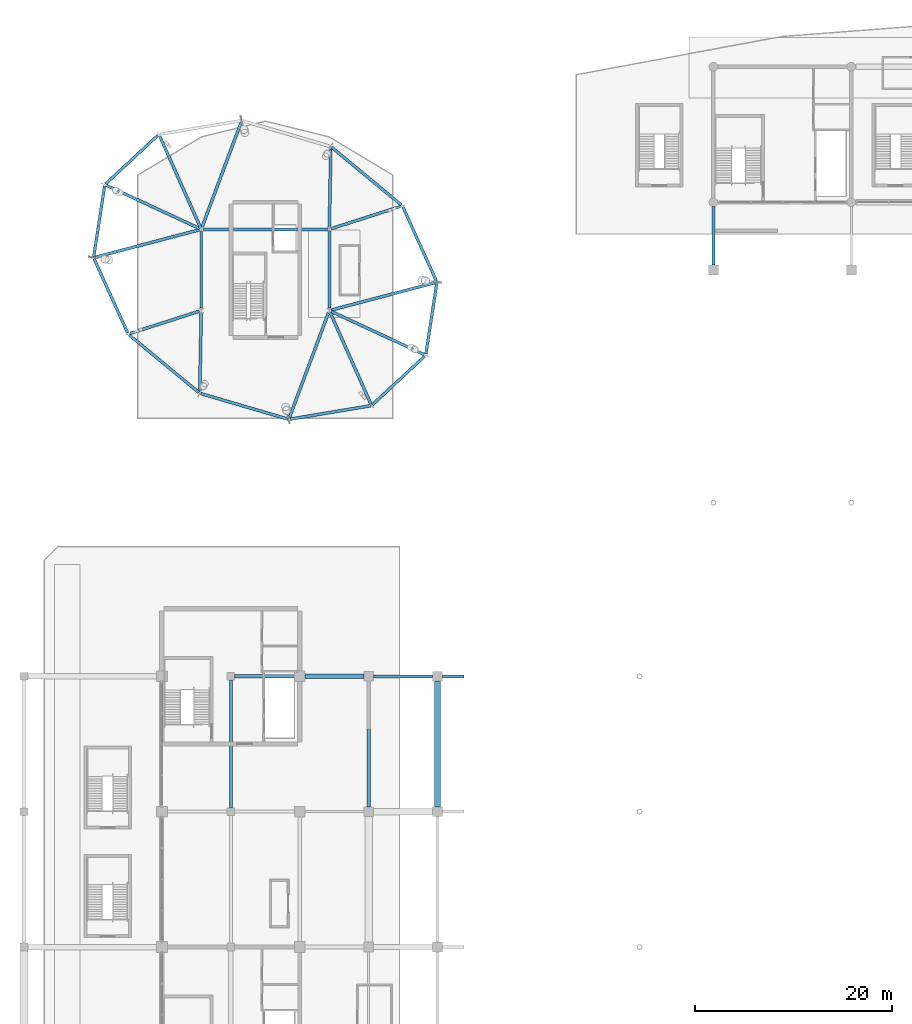
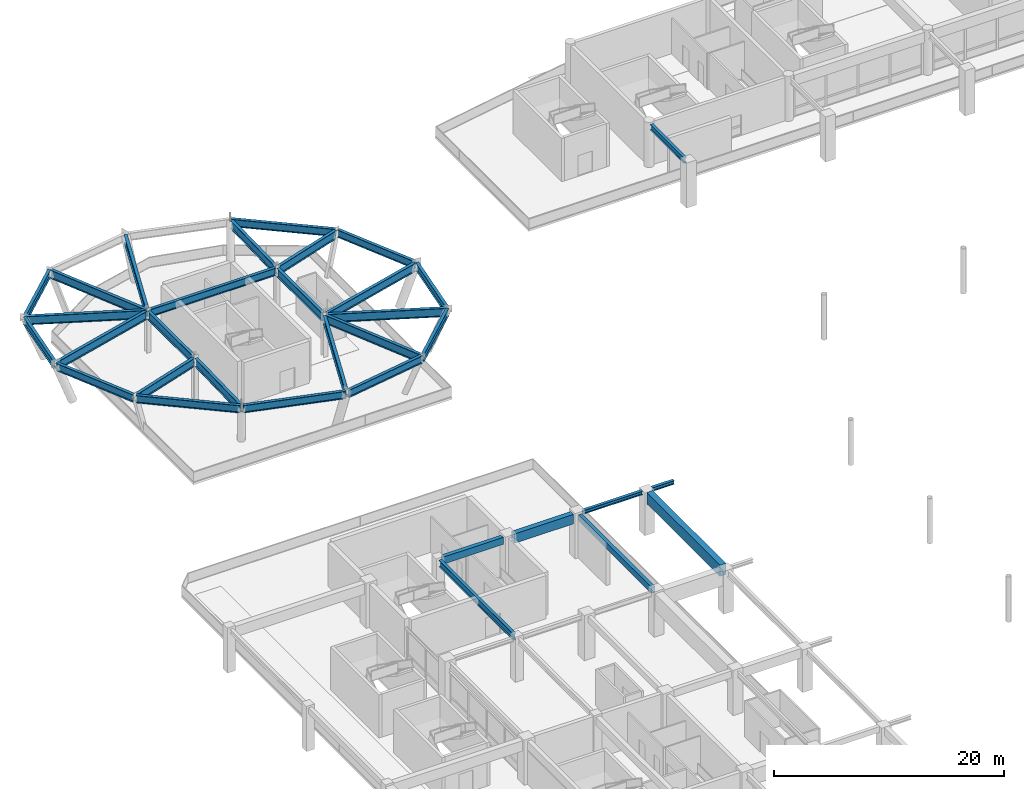
# One storey, part 42 of 91: 33 beams.
"""IFC4 building model written with IfcOpenShell, lengths in metres."""

import ifcopenshell
import ifcopenshell.guid

model = None  # the IFC model being written
_history = None  # IfcOwnerHistory: only IFC2X3 demands one
_inside = {}  # id of a spatial element -> (the spatial element, [elements in it])
_under = {}  # id of a project, library or spatial element -> (it, [spatial elements below it])
_declared = {}  # id of a project -> (the project, [libraries it declares])
_typed = {}  # id of a type object -> (the type object, [elements of that type])
_made_of = {}  # id of a material, layer set ... -> (it, [elements and type objects made of it])


def new_model(schema):
    """Start an empty IFC model of exactly this schema.

    Asked for "IFC4X3", IfcOpenShell would pick the latest addendum, in which some entities
    have other attributes; the version numbers below select the first issue.
    IFC2X3 requires an IfcOwnerHistory on every rooted entity: one is made here for all.
    """
    global model, _history
    if schema == "IFC4X3":
        model = ifcopenshell.file(schema_version=(4, 3, 0, 0))
    else:
        model = ifcopenshell.file(schema=schema)
    _inside.clear()
    _under.clear()
    _declared.clear()
    _typed.clear()
    _made_of.clear()
    _history = None
    if model.schema == "IFC2X3":
        org = make("IfcOrganization", Name="unknown")
        user = make(
            "IfcPersonAndOrganization",
            ThePerson=make("IfcPerson", FamilyName="unknown"),
            TheOrganization=org,
        )
        app = make(
            "IfcApplication",
            ApplicationDeveloper=org,
            Version="unknown",
            ApplicationFullName="unknown",
            ApplicationIdentifier="unknown",
        )
        _history = make(
            "IfcOwnerHistory",
            OwningUser=user,
            OwningApplication=app,
            ChangeAction="ADDED",
            CreationDate=0,
        )
    return model


def make(cls, **values):
    """One entity of the class cls with the attributes given. An attribute that is None is left unset."""
    return model.create_entity(
        cls, **{name: value for name, value in values.items() if value is not None}
    )


def rooted(cls, **values):
    """An entity with a GlobalId (a new one), such as an element, a storey or a relation."""
    return make(cls, GlobalId=ifcopenshell.guid.new(), OwnerHistory=_history, **values)


def si_unit(unit_type, name, prefix=None):
    """IfcSIUnit, for example si_unit("LENGTHUNIT", "METRE", prefix="MILLI")."""
    return make("IfcSIUnit", UnitType=unit_type, Prefix=prefix, Name=name)


def assignment(units):
    """IfcUnitAssignment: the units of a project."""
    return None if units is None else make("IfcUnitAssignment", Units=units)


def point(xyz):
    """IfcCartesianPoint."""
    return None if xyz is None else make("IfcCartesianPoint", Coordinates=xyz)


def direction(xyz):
    """IfcDirection."""
    return None if xyz is None else make("IfcDirection", DirectionRatios=xyz)


def frame(location, z_axis=None, x_axis=None):
    """IfcAxis2Placement3D, a coordinate frame: its origin and axes. An axis left out is left unset."""
    return make(
        "IfcAxis2Placement3D",
        Location=point(location),
        Axis=direction(z_axis),
        RefDirection=direction(x_axis),
    )


def frame_2d(location, x_axis=None):
    """IfcAxis2Placement2D, a coordinate frame in the plane: its origin and x axis."""
    return make(
        "IfcAxis2Placement2D", Location=point(location), RefDirection=direction(x_axis)
    )


def origin():
    """The frame at (0, 0, 0) with its axes left unset."""
    return frame((0.0, 0.0, 0.0))


def origin_2d():
    """The frame at (0, 0) in the plane with its x axis left unset."""
    return frame_2d((0.0, 0.0))


def place(relative_to, where):
    """IfcLocalPlacement: puts the frame where relative to a parent placement (None: the world)."""
    return make(
        "IfcLocalPlacement", PlacementRelTo=relative_to, RelativePlacement=where
    )


def context(
    kind, dimensions, precision=None, world=None, true_north=None, identifier=None
):
    """IfcGeometricRepresentationContext, for example the 3D "Model" context."""
    return make(
        "IfcGeometricRepresentationContext",
        ContextIdentifier=identifier,
        ContextType=kind,
        CoordinateSpaceDimension=dimensions,
        Precision=precision,
        WorldCoordinateSystem=world,
        TrueNorth=true_north,
    )


def subcontext(parent, identifier, kind, view, scale=None):
    """IfcGeometricRepresentationSubContext, for example "Body" below "Model"."""
    return make(
        "IfcGeometricRepresentationSubContext",
        ContextIdentifier=identifier,
        ContextType=kind,
        ParentContext=parent,
        TargetScale=scale,
        TargetView=view,
    )


def project(units=None, contexts=None):
    """IfcProject with its units and contexts."""
    return rooted(
        "IfcProject",
        Name="project",
        RepresentationContexts=contexts,
        UnitsInContext=assignment(units),
    )


def spatial(cls, under=None, at=None, **own):
    """A site, building, storey or space (cls), placed at a placement, below another one or the project."""
    s = rooted(cls, ObjectPlacement=at, **own)
    if under is not None:
        _under.setdefault(under.id(), (under, []))[1].append(s)
    return s


def profile(cls, at=None, kind="AREA", **sizes):
    """A parametric profile (cls). Its sizes go by their IFC names, for example OverallWidth=200.0."""
    return make(cls, ProfileType=kind, Position=at, **sizes)


def rectangle(**sizes):
    """IfcRectangleProfileDef."""
    return profile("IfcRectangleProfileDef", **sizes)


def i_section(**sizes):
    """IfcIShapeProfileDef."""
    return profile("IfcIShapeProfileDef", **sizes)


def extrude(swept, where, along, depth):
    """IfcExtrudedAreaSolid: the profile swept, set in the frame where, extruded along a direction by depth."""
    return make(
        "IfcExtrudedAreaSolid",
        SweptArea=swept,
        Position=where,
        ExtrudedDirection=direction(along),
        Depth=depth,
    )


def shape(context_of_items, identifier, shape_type, items):
    """IfcShapeRepresentation: the items that make up one representation, for example the "Body"."""
    return make(
        "IfcShapeRepresentation",
        ContextOfItems=context_of_items,
        RepresentationIdentifier=identifier,
        RepresentationType=shape_type,
        Items=items,
    )


def material(Name=None, Category=None):
    """IfcMaterial."""
    return make("IfcMaterial", Name=Name, Category=Category)


def material_profile(
    of_material, cross_section, Name=None, Category=None, Priority=None
):
    """IfcMaterialProfile: a cross section and its material."""
    return make(
        "IfcMaterialProfile",
        Name=Name,
        Material=of_material,
        Profile=cross_section,
        Priority=Priority,
        Category=Category,
    )


def profile_set(profiles, Name=None, composite=None):
    """IfcMaterialProfileSet."""
    return make(
        "IfcMaterialProfileSet",
        Name=Name,
        MaterialProfiles=profiles,
        CompositeProfile=composite,
    )


def made_of(thing, what):
    """Note that an element or type object is made of a material, layer set ...; save() writes the relation."""
    if what is not None:
        _made_of.setdefault(what.id(), (what, []))[1].append(thing)
    return thing


def type_object(cls, material=None, **own):
    """A type object (cls), such as IfcWallType, which elements share."""
    return made_of(rooted(cls, **own), material)


def element(
    cls,
    number,
    at=None,
    inside=None,
    cuts=None,
    type_object=None,
    material=None,
    context=None,
    identifier="Body",
    shape_type=None,
    held_by="IfcProductDefinitionShape",
    body=None,
    shapes=None,
    **own,
):
    """One element of the class cls, such as IfcWall. Its Tag is "e" and its number.

    at: its placement. inside: the storey or other place that contains it. cuts: it is an
    opening in that element (IfcRelVoidsElement). A single representation is given by context,
    identifier, shape_type and body (its items); several are given by shapes. held_by: the class
    of the entity that holds the representations. save() writes the other relations.
    """
    e = rooted(cls, Tag="e%d" % number, ObjectPlacement=at, **own)
    if body is not None:
        shapes = [shape(context, identifier, shape_type, body)]
    if shapes is not None:
        e.Representation = make(held_by, Representations=shapes)
    if inside is not None:
        _inside.setdefault(inside.id(), (inside, []))[1].append(e)
    if cuts is not None:
        rooted(
            "IfcRelVoidsElement", RelatingBuildingElement=cuts, RelatedOpeningElement=e
        )
    if type_object is not None:
        _typed.setdefault(type_object.id(), (type_object, []))[1].append(e)
    return made_of(e, material)


def aggregate(whole, parts):
    """IfcRelAggregates: a whole, such as a stair, and the parts it consists of."""
    return rooted("IfcRelAggregates", RelatingObject=whole, RelatedObjects=parts)


def save(model, path):
    """Write the relations noted so far, then the file.

    IfcRelAggregates (storeys below a building ...), IfcRelContainedInSpatialStructure (elements
    in a storey), IfcRelDefinesByType, IfcRelAssociatesMaterial and IfcRelDeclares: one each for
    every whole, place, type object, material and project.
    """
    for whole, parts in _under.values():
        aggregate(whole, parts)
    for where, things in _inside.values():
        rooted(
            "IfcRelContainedInSpatialStructure",
            RelatedElements=things,
            RelatingStructure=where,
        )
    for kind, things in _typed.values():
        rooted("IfcRelDefinesByType", RelatedObjects=things, RelatingType=kind)
    for what, things in _made_of.values():
        rooted("IfcRelAssociatesMaterial", RelatedObjects=things, RelatingMaterial=what)
    for by, libraries in _declared.values():
        rooted("IfcRelDeclares", RelatingContext=by, RelatedDefinitions=libraries)
    model.write(path)


model = new_model("IFC4")

# Units and contexts
model_context = context("Model", 3, precision=1e-05, world=origin(), true_north=direction((0.0, 1.0)))
body_context = subcontext(model_context, "Body", "Model", "MODEL_VIEW")
ifc_project = project(units=[si_unit("LENGTHUNIT", "METRE"), si_unit("AREAUNIT", "SQUARE_METRE"), si_unit("VOLUMEUNIT", "CUBIC_METRE"), si_unit("PLANEANGLEUNIT", "RADIAN"), si_unit("MASSUNIT", "GRAM", prefix="KILO")], contexts=[model_context])

# Site, building, storey
site_placement = place(None, origin())
site = spatial("IfcSite", under=ifc_project, at=site_placement, CompositionType="ELEMENT")
building_placement = place(site_placement, origin())
building = spatial("IfcBuilding", under=site, at=building_placement, Name="Linyun Crest Stadium", CompositionType="ELEMENT")
storey_placement = place(building_placement, frame((0.0, 0.0, 11.39990234375)))
storey = spatial("IfcBuildingStorey", under=building, at=storey_placement, Name="L03", CompositionType="ELEMENT", Elevation=11.39990234375)

# Beams
ifc_material_1 = material(Name="Concrete C40", Category="concrete")
ifc_material_profile_1 = material_profile(ifc_material_1, rectangle(XDim=0.35009765625, YDim=0.64990234375, at=origin_2d()), Name="RCB 650x350")
ifc_profile_set_1 = profile_set([ifc_material_profile_1], Name="Concrete C40")
beam_type_1 = type_object("IfcBeamType", Name="B02", PredefinedType="BEAM", material=ifc_profile_set_1)
beam_1_placement = place(storey_placement, frame((-63.0, 30.125, 4.255126953125), z_axis=(0.0, 1.0, 0.0), x_axis=(-1.0, 0.0, 0.0)))
element("IfcBeam", 1, at=beam_1_placement, inside=storey, type_object=beam_type_1, Name="Frame beam B02 L03 291", PredefinedType="BEAM", context=body_context, shape_type="SweptSolid", body=[
    extrude(rectangle(XDim=0.35009765625, YDim=0.64990234375, at=origin_2d()), origin(), (0.0, 0.0, 1.0), 12.75),
])
ifc_material_2 = material(Name="Concrete C40", Category="concrete")
ifc_material_profile_2 = material_profile(ifc_material_2, rectangle(XDim=0.39990234375, YDim=0.75, at=origin_2d()), Name="RCB 750x400")
ifc_profile_set_2 = profile_set([ifc_material_profile_2], Name="Concrete C40")
beam_type_2 = type_object("IfcBeamType", Name="B03", PredefinedType="BEAM", material=ifc_profile_set_2)
beam_2_placement = place(storey_placement, frame((-76.60009765625, 43.375, 4.205078125), z_axis=(1.0, 0.0, 0.0), x_axis=(0.0, 1.0, 0.0)))
element("IfcBeam", 2, at=beam_2_placement, inside=storey, type_object=beam_type_2, Name="Frame beam B03 L03 253", PredefinedType="BEAM", context=body_context, shape_type="SweptSolid", body=[
    extrude(rectangle(XDim=0.39990234375, YDim=0.75, at=origin_2d()), origin(), (0.0, 0.0, 1.0), 6.050048828125),
])
ifc_material_3 = material(Name="Concrete C40", Category="concrete")
ifc_material_profile_3 = material_profile(ifc_material_3, rectangle(XDim=0.5, YDim=1.0, at=origin_2d()), Name="RCB 1000x500")
ifc_profile_set_3 = profile_set([ifc_material_profile_3], Name="Concrete C40")
beam_type_3 = type_object("IfcBeamType", Name="B05", PredefinedType="BEAM", material=ifc_profile_set_3)
beam_3_placement = place(storey_placement, frame((-69.449951171875, 43.375, 4.080078125), z_axis=(1.0, 0.0, 0.0), x_axis=(0.0, 1.0, 0.0)))
element("IfcBeam", 3, at=beam_3_placement, inside=storey, type_object=beam_type_3, Name="Frame beam B05 L03 254", PredefinedType="BEAM", context=body_context, shape_type="SweptSolid", body=[
    extrude(rectangle(XDim=0.5, YDim=1.0, at=origin_2d()), origin(), (0.0, 0.0, 1.0), 5.949951171875),
])
ifc_material_4 = material(Name="Steel Q355C", Category="steel")
ifc_material_profile_4 = material_profile(ifc_material_4, i_section(OverallWidth=0.300048828125, OverallDepth=0.389892578125, WebThickness=0.010009765625, FlangeThickness=0.01611328125, at=origin_2d()), Name="HM 390x300")
ifc_profile_set_4 = profile_set([ifc_material_profile_4], Name="Steel Q355C")
beam_type_4 = type_object("IfcBeamType", Name="B06", PredefinedType="BEAM", material=ifc_profile_set_4)
beam_4_placement = place(storey_placement, frame((-62.5, 43.375, 4.34521484375), z_axis=(1.0, 0.0, 0.0), x_axis=(0.0, 1.0, 0.0)))
element("IfcBeam", 4, at=beam_4_placement, inside=storey, type_object=beam_type_4, Name="Frame beam B06 L03 255", PredefinedType="BEAM", context=body_context, shape_type="SweptSolid", body=[
    extrude(i_section(OverallWidth=0.300048828125, OverallDepth=0.389892578125, WebThickness=0.010009765625, FlangeThickness=0.01611328125, at=origin_2d()), origin(), (0.0, 0.0, 1.0), 6.0),
])
beam_5_placement = place(storey_placement, frame((-55.5, 43.375, 4.34521484375), z_axis=(1.0, 0.0, 0.0), x_axis=(0.0, 1.0, 0.0)))
element("IfcBeam", 5, at=beam_5_placement, inside=storey, type_object=beam_type_4, Name="Balcony bracket beam B06 L03 262", PredefinedType="BEAM", context=body_context, shape_type="SweptSolid", body=[
    extrude(i_section(OverallWidth=0.300048828125, OverallDepth=0.389892578125, WebThickness=0.010009765625, FlangeThickness=0.01611328125, at=origin_2d()), origin(), (0.0, 0.0, 1.0), 2.199951171875),
])
ifc_material_5 = material(Name="Steel Q355C", Category="steel")
ifc_material_profile_5 = material_profile(ifc_material_5, i_section(OverallWidth=0.300048828125, OverallDepth=0.587890625, WebThickness=0.011962890625, FlangeThickness=0.02001953125, at=origin_2d()), Name="HM 588x300")
ifc_profile_set_5 = profile_set([ifc_material_profile_5], Name="Steel Q355C")
beam_type_5 = type_object("IfcBeamType", Name="B09", PredefinedType="BEAM", material=ifc_profile_set_5)
beam_6_placement = place(storey_placement, frame((-28.0, 85.125, 4.30615234375), z_axis=(0.0, 1.0, 0.0), x_axis=(-1.0, 0.0, 0.0)))
element("IfcBeam", 6, at=beam_6_placement, inside=storey, type_object=beam_type_5, Name="Frame beam B09 L03 804", PredefinedType="BEAM", context=body_context, shape_type="SweptSolid", body=[
    extrude(i_section(OverallWidth=0.300048828125, OverallDepth=0.587890625, WebThickness=0.011962890625, FlangeThickness=0.02001953125, at=origin_2d()), origin(), (0.0, 0.0, 1.0), 5.925048828125),
])
ifc_material_6 = material(Name="Steel Q355C", Category="steel")
ifc_material_profile_6 = material_profile(ifc_material_6, i_section(OverallWidth=0.300048828125, OverallDepth=0.699951171875, WebThickness=0.012939453125, FlangeThickness=0.02392578125, at=origin_2d()), Name="HN 700x300")
ifc_profile_set_6 = profile_set([ifc_material_profile_6], Name="Steel Q355C")
beam_type_6 = type_object("IfcBeamType", Name="B12", PredefinedType="BEAM", material=ifc_profile_set_6)
beam_7_placement = place(storey_placement, frame((-77.0, 30.02490234375, 4.22998046875), z_axis=(0.0, 1.0, 0.0), x_axis=(-1.0, 0.0, 0.0)))
element("IfcBeam", 7, at=beam_7_placement, inside=storey, type_object=beam_type_6, Name="Frame beam B12 L03 280", PredefinedType="BEAM", context=body_context, shape_type="SweptSolid", body=[
    extrude(i_section(OverallWidth=0.300048828125, OverallDepth=0.699951171875, WebThickness=0.012939453125, FlangeThickness=0.02392578125, at=origin_2d()), origin(), (0.0, 0.0, 1.0), 12.9501953125),
])
ifc_material_7 = material(Name="Concrete C50", Category="concrete")
ifc_material_profile_7 = material_profile(ifc_material_7, rectangle(XDim=0.60009765625, YDim=1.199951171875, at=origin_2d()), Name="RCB 1200x600")
ifc_profile_set_7 = profile_set([ifc_material_profile_7], Name="Concrete C50")
beam_type_7 = type_object("IfcBeamType", Name="TB02", PredefinedType="USERDEFINED", material=ifc_profile_set_7)
beam_8_placement = place(storey_placement, frame((-56.0, 30.125, 3.940185546875), z_axis=(0.0, 1.0, 0.0), x_axis=(-1.0, 0.0, 0.0)))
element("IfcBeam", 8, at=beam_8_placement, inside=storey, type_object=beam_type_7, Name="Frame beam TB02 L03 298", ObjectType="GIRDER", PredefinedType="USERDEFINED", context=body_context, shape_type="SweptSolid", body=[
    extrude(rectangle(XDim=0.60009765625, YDim=1.199951171875, at=origin_2d()), origin(), (0.0, 0.0, 1.0), 12.75),
])
ifc_material_8 = material(Name="Steel Q420C", Category="steel")
ifc_material_profile_8 = material_profile(ifc_material_8, i_section(OverallWidth=0.300048828125, OverallDepth=0.800048828125, WebThickness=0.013916015625, FlangeThickness=0.02587890625, at=origin_2d()), Name="HN 800x300")
ifc_profile_set_8 = profile_set([ifc_material_profile_8], Name="Steel Q420C")
beam_type_8 = type_object("IfcBeamType", Name="TB04", PredefinedType="USERDEFINED", material=ifc_profile_set_8)
beam_9_placement = place(storey_placement, frame((-57.194091796875, 76.083984375, 4.080078125), z_axis=(0.151925785787, 0.988391903859, 0.0), x_axis=(-0.988391903859, 0.151925785787, 0.0)))
element("IfcBeam", 9, at=beam_9_placement, inside=storey, type_object=beam_type_8, Name="Pod ring girder TB04 L03 1", ObjectType="GIRDER", PredefinedType="USERDEFINED", context=body_context, shape_type="SweptSolid", body=[
    extrude(i_section(OverallWidth=0.300048828125, OverallDepth=0.800048828125, WebThickness=0.013916015625, FlangeThickness=0.02587890625, at=origin_2d()), origin(), (0.0, 0.0, 1.0), 7.26025390625),
])
beam_10_placement = place(storey_placement, frame((-56.1220703125, 83.488037109375, 4.080078125), z_axis=(-0.412152117895, 0.911115048561, 0.0), x_axis=(-0.911115048561, -0.412152117895, 0.0)))
element("IfcBeam", 10, at=beam_10_placement, inside=storey, type_object=beam_type_8, Name="Pod ring girder TB04 L03 3", ObjectType="GIRDER", PredefinedType="USERDEFINED", context=body_context, shape_type="SweptSolid", body=[
    extrude(i_section(OverallWidth=0.300048828125, OverallDepth=0.800048828125, WebThickness=0.013916015625, FlangeThickness=0.02587890625, at=origin_2d()), origin(), (0.0, 0.0, 1.0), 8.27099609375),
])
beam_11_placement = place(storey_placement, frame((-59.672119140625, 91.208984375, 4.080078125), z_axis=(-0.77050499968, 0.637433953809, 0.0), x_axis=(-0.637433953809, -0.77050499968, 0.0)))
element("IfcBeam", 11, at=beam_11_placement, inside=storey, type_object=beam_type_8, Name="Pod ring girder TB04 L03 5", ObjectType="GIRDER", PredefinedType="USERDEFINED", context=body_context, shape_type="SweptSolid", body=[
    extrude(i_section(OverallWidth=0.300048828125, OverallDepth=0.800048828125, WebThickness=0.013916015625, FlangeThickness=0.02587890625, at=origin_2d()), origin(), (0.0, 0.0, 1.0), 9.18994140625),
])
beam_12_placement = place(storey_placement, frame((-84.37890625, 98.30908203125, 4.080078125), z_axis=(-0.732713262874, -0.680537489349, 0.0), x_axis=(0.680537489349, -0.732713262874, 0.0)))
element("IfcBeam", 12, at=beam_12_placement, inside=storey, type_object=beam_type_8, Name="Pod ring girder TB04 L03 11", ObjectType="GIRDER", PredefinedType="USERDEFINED", context=body_context, shape_type="SweptSolid", body=[
    extrude(i_section(OverallWidth=0.300048828125, OverallDepth=0.800048828125, WebThickness=0.013916015625, FlangeThickness=0.02587890625, at=origin_2d()), origin(), (0.0, 0.0, 1.0), 7.26220703125),
])
beam_13_placement = place(storey_placement, frame((-89.805908203125, 93.166015625, 4.080078125), z_axis=(-0.151925785787, -0.988391903859, 0.0), x_axis=(0.988391903859, -0.151925785787, 0.0)))
element("IfcBeam", 13, at=beam_13_placement, inside=storey, type_object=beam_type_8, Name="Pod ring girder TB04 L03 13", ObjectType="GIRDER", PredefinedType="USERDEFINED", context=body_context, shape_type="SweptSolid", body=[
    extrude(i_section(OverallWidth=0.300048828125, OverallDepth=0.800048828125, WebThickness=0.013916015625, FlangeThickness=0.02587890625, at=origin_2d()), origin(), (0.0, 0.0, 1.0), 7.26025390625),
])
beam_14_placement = place(storey_placement, frame((-90.8779296875, 85.761962890625, 4.080078125), z_axis=(0.412152117895, -0.911115048561, 0.0), x_axis=(0.911115048561, 0.412152117895, 0.0)))
element("IfcBeam", 14, at=beam_14_placement, inside=storey, type_object=beam_type_8, Name="Pod ring girder TB04 L03 15", ObjectType="GIRDER", PredefinedType="USERDEFINED", context=body_context, shape_type="SweptSolid", body=[
    extrude(i_section(OverallWidth=0.300048828125, OverallDepth=0.800048828125, WebThickness=0.013916015625, FlangeThickness=0.02587890625, at=origin_2d()), origin(), (0.0, 0.0, 1.0), 8.27099609375),
])
beam_15_placement = place(storey_placement, frame((-87.327880859375, 78.041015625, 4.080078125), z_axis=(0.77050499968, -0.637433953809, 0.0), x_axis=(0.637433953809, 0.77050499968, 0.0)))
element("IfcBeam", 15, at=beam_15_placement, inside=storey, type_object=beam_type_8, Name="Pod ring girder TB04 L03 17", ObjectType="GIRDER", PredefinedType="USERDEFINED", context=body_context, shape_type="SweptSolid", body=[
    extrude(i_section(OverallWidth=0.300048828125, OverallDepth=0.800048828125, WebThickness=0.013916015625, FlangeThickness=0.02587890625, at=origin_2d()), origin(), (0.0, 0.0, 1.0), 9.18994140625),
])
beam_16_placement = place(storey_placement, frame((-80.0400390625, 72.072998046875, 4.080078125), z_axis=(0.959663931596, -0.281149672583, 0.0), x_axis=(0.281149672583, 0.959663931596, 0.0)))
element("IfcBeam", 16, at=beam_16_placement, inside=storey, type_object=beam_type_8, Name="Pod ring girder TB04 L03 19", ObjectType="GIRDER", PredefinedType="USERDEFINED", context=body_context, shape_type="SweptSolid", body=[
    extrude(i_section(OverallWidth=0.300048828125, OverallDepth=0.800048828125, WebThickness=0.013916015625, FlangeThickness=0.02587890625, at=origin_2d()), origin(), (0.0, 0.0, 1.0), 9.180419921875),
])
beam_17_placement = place(storey_placement, frame((-70.9970703125, 69.47802734375, 4.080078125), z_axis=(0.986405870854, 0.164327289108, 0.0), x_axis=(-0.164327289108, 0.986405870854, 0.0)))
element("IfcBeam", 17, at=beam_17_placement, inside=storey, type_object=beam_type_8, Name="Pod ring girder TB04 L03 21", ObjectType="GIRDER", PredefinedType="USERDEFINED", context=body_context, shape_type="SweptSolid", body=[
    extrude(i_section(OverallWidth=0.300048828125, OverallDepth=0.800048828125, WebThickness=0.013916015625, FlangeThickness=0.02587890625, at=origin_2d()), origin(), (0.0, 0.0, 1.0), 8.28271484375),
])
beam_18_placement = place(storey_placement, frame((-62.62109375, 70.94091796875, 4.080078125), z_axis=(0.732713262874, 0.680537489349, 0.0), x_axis=(-0.680537489349, 0.732713262874, 0.0)))
element("IfcBeam", 18, at=beam_18_placement, inside=storey, type_object=beam_type_8, Name="Pod ring girder TB04 L03 23", ObjectType="GIRDER", PredefinedType="USERDEFINED", context=body_context, shape_type="SweptSolid", body=[
    extrude(i_section(OverallWidth=0.300048828125, OverallDepth=0.800048828125, WebThickness=0.013916015625, FlangeThickness=0.02587890625, at=origin_2d()), origin(), (0.0, 0.0, 1.0), 7.26220703125),
])
beam_19_placement = place(storey_placement, frame((-79.7958984375, 88.75, 4.080078125), z_axis=(1.0, 0.0, 0.0), x_axis=(0.0, 1.0, 0.0)))
element("IfcBeam", 19, at=beam_19_placement, inside=storey, type_object=beam_type_8, Name="Frame beam TB04 L03 965", ObjectType="GIRDER", PredefinedType="USERDEFINED", context=body_context, shape_type="SweptSolid", body=[
    extrude(i_section(OverallWidth=0.300048828125, OverallDepth=0.800048828125, WebThickness=0.013916015625, FlangeThickness=0.02587890625, at=origin_2d()), origin(), (0.0, 0.0, 1.0), 12.591796875),
])
ifc_material_9 = material(Name="Steel Q420C", Category="steel")
ifc_material_profile_9 = material_profile(ifc_material_9, i_section(OverallWidth=0.300048828125, OverallDepth=0.89990234375, WebThickness=0.01611328125, FlangeThickness=0.028076171875, at=origin_2d()), Name="HN 900x300")
ifc_profile_set_9 = profile_set([ifc_material_profile_9], Name="Steel Q420C")
beam_type_9 = type_object("IfcBeamType", Name="TB05", PredefinedType="USERDEFINED", material=ifc_profile_set_9)
beam_20_placement = place(storey_placement, frame((-66.819091796875, 80.416015625, 4.030029296875), z_axis=(0.907318055873, -0.420444937521, 0.0), x_axis=(0.420444937521, 0.907318055873, 0.0)))
element("IfcBeam", 20, at=beam_20_placement, inside=storey, type_object=beam_type_9, Name="Pod radial tie girder TB05 L03 2", ObjectType="GIRDER", PredefinedType="USERDEFINED", context=body_context, shape_type="SweptSolid", body=[
    extrude(i_section(OverallWidth=0.300048828125, OverallDepth=0.89990234375, WebThickness=0.01611328125, FlangeThickness=0.028076171875, at=origin_2d()), origin(), (0.0, 0.0, 1.0), 10.367919921875),
])
beam_21_placement = place(storey_placement, frame((-66.806884765625, 80.551025390625, 4.030029296875), z_axis=(0.967000085743, 0.254776047095, 0.0), x_axis=(-0.254776047095, 0.967000085743, 0.0)))
element("IfcBeam", 21, at=beam_21_placement, inside=storey, type_object=beam_type_9, Name="Pod radial tie girder TB05 L03 4", ObjectType="GIRDER", PredefinedType="USERDEFINED", context=body_context, shape_type="SweptSolid", body=[
    extrude(i_section(OverallWidth=0.300048828125, OverallDepth=0.89990234375, WebThickness=0.01611328125, FlangeThickness=0.028076171875, at=origin_2d()), origin(), (0.0, 0.0, 1.0), 10.880126953125),
])
beam_22_placement = place(storey_placement, frame((-66.81005859375, 88.81103515625, 4.030029296875), z_axis=(0.952102250226, 0.305779831111, 0.0), x_axis=(-0.305779831111, 0.952102250226, 0.0)))
element("IfcBeam", 22, at=beam_22_placement, inside=storey, type_object=beam_type_9, Name="Pod radial tie girder TB05 L03 6", ObjectType="GIRDER", PredefinedType="USERDEFINED", context=body_context, shape_type="SweptSolid", body=[
    extrude(i_section(OverallWidth=0.300048828125, OverallDepth=0.89990234375, WebThickness=0.01611328125, FlangeThickness=0.028076171875, at=origin_2d()), origin(), (0.0, 0.0, 1.0), 7.374267578125),
])
beam_23_placement = place(storey_placement, frame((-66.99609375, 88.949951171875, 4.030029296875), z_axis=(0.018430330961, 0.999830147025, 0.0), x_axis=(-0.999830147025, 0.018430330961, 0.0)))
element("IfcBeam", 23, at=beam_23_placement, inside=storey, type_object=beam_type_9, Name="Pod radial tie girder TB05 L03 8", ObjectType="GIRDER", PredefinedType="USERDEFINED", context=body_context, shape_type="SweptSolid", body=[
    extrude(i_section(OverallWidth=0.300048828125, OverallDepth=0.89990234375, WebThickness=0.01611328125, FlangeThickness=0.028076171875, at=origin_2d()), origin(), (0.0, 0.0, 1.0), 7.974609375),
])
beam_24_placement = place(storey_placement, frame((-79.929931640625, 88.93701171875, 4.030029296875), z_axis=(0.349168576698, 0.93705992607, 0.0), x_axis=(-0.93705992607, 0.349168576698, 0.0)))
element("IfcBeam", 24, at=beam_24_placement, inside=storey, type_object=beam_type_9, Name="Pod radial tie girder TB05 L03 10", ObjectType="GIRDER", PredefinedType="USERDEFINED", context=body_context, shape_type="SweptSolid", body=[
    extrude(i_section(OverallWidth=0.300048828125, OverallDepth=0.89990234375, WebThickness=0.01611328125, FlangeThickness=0.028076171875, at=origin_2d()), origin(), (0.0, 0.0, 1.0), 11.3642578125),
])
beam_25_placement = place(storey_placement, frame((-80.0810546875, 88.93310546875, 4.030029296875), z_axis=(-0.406690577567, 0.913565965937, 0.0), x_axis=(-0.913565965937, -0.406690577567, 0.0)))
element("IfcBeam", 25, at=beam_25_placement, inside=storey, type_object=beam_type_9, Name="Pod radial tie girder TB05 L03 12", ObjectType="GIRDER", PredefinedType="USERDEFINED", context=body_context, shape_type="SweptSolid", body=[
    extrude(i_section(OverallWidth=0.300048828125, OverallDepth=0.89990234375, WebThickness=0.01611328125, FlangeThickness=0.028076171875, at=origin_2d()), origin(), (0.0, 0.0, 1.0), 10.132568359375),
])
beam_26_placement = place(storey_placement, frame((-80.180908203125, 88.833984375, 4.030029296875), z_axis=(-0.907318055873, 0.420444937521, 0.0), x_axis=(-0.420444937521, -0.907318055873, 0.0)))
element("IfcBeam", 26, at=beam_26_placement, inside=storey, type_object=beam_type_9, Name="Pod radial tie girder TB05 L03 14", ObjectType="GIRDER", PredefinedType="USERDEFINED", context=body_context, shape_type="SweptSolid", body=[
    extrude(i_section(OverallWidth=0.300048828125, OverallDepth=0.89990234375, WebThickness=0.01611328125, FlangeThickness=0.028076171875, at=origin_2d()), origin(), (0.0, 0.0, 1.0), 10.367919921875),
])
beam_27_placement = place(storey_placement, frame((-80.193115234375, 88.698974609375, 4.030029296875), z_axis=(-0.967000085743, -0.254776047095, 0.0), x_axis=(0.254776047095, -0.967000085743, 0.0)))
element("IfcBeam", 27, at=beam_27_placement, inside=storey, type_object=beam_type_9, Name="Pod radial tie girder TB05 L03 16", ObjectType="GIRDER", PredefinedType="USERDEFINED", context=body_context, shape_type="SweptSolid", body=[
    extrude(i_section(OverallWidth=0.300048828125, OverallDepth=0.89990234375, WebThickness=0.01611328125, FlangeThickness=0.028076171875, at=origin_2d()), origin(), (0.0, 0.0, 1.0), 10.880126953125),
])
beam_28_placement = place(storey_placement, frame((-80.18994140625, 80.43896484375, 4.030029296875), z_axis=(-0.952102250226, -0.305779831111, 0.0), x_axis=(0.305779831111, -0.952102250226, 0.0)))
element("IfcBeam", 28, at=beam_28_placement, inside=storey, type_object=beam_type_9, Name="Pod radial tie girder TB05 L03 18", ObjectType="GIRDER", PredefinedType="USERDEFINED", context=body_context, shape_type="SweptSolid", body=[
    extrude(i_section(OverallWidth=0.300048828125, OverallDepth=0.89990234375, WebThickness=0.01611328125, FlangeThickness=0.028076171875, at=origin_2d()), origin(), (0.0, 0.0, 1.0), 7.374267578125),
])
beam_29_placement = place(storey_placement, frame((-80.00390625, 80.300048828125, 4.030029296875), z_axis=(-0.018430330961, -0.999830147025, 0.0), x_axis=(0.999830147025, -0.018430330961, 0.0)))
element("IfcBeam", 29, at=beam_29_placement, inside=storey, type_object=beam_type_9, Name="Pod radial tie girder TB05 L03 20", ObjectType="GIRDER", PredefinedType="USERDEFINED", context=body_context, shape_type="SweptSolid", body=[
    extrude(i_section(OverallWidth=0.300048828125, OverallDepth=0.89990234375, WebThickness=0.01611328125, FlangeThickness=0.028076171875, at=origin_2d()), origin(), (0.0, 0.0, 1.0), 7.974609375),
])
beam_30_placement = place(storey_placement, frame((-67.070068359375, 80.31298828125, 4.030029296875), z_axis=(-0.349168576698, -0.93705992607, 0.0), x_axis=(0.93705992607, -0.349168576698, 0.0)))
element("IfcBeam", 30, at=beam_30_placement, inside=storey, type_object=beam_type_9, Name="Pod radial tie girder TB05 L03 22", ObjectType="GIRDER", PredefinedType="USERDEFINED", context=body_context, shape_type="SweptSolid", body=[
    extrude(i_section(OverallWidth=0.300048828125, OverallDepth=0.89990234375, WebThickness=0.01611328125, FlangeThickness=0.028076171875, at=origin_2d()), origin(), (0.0, 0.0, 1.0), 11.3642578125),
])
beam_31_placement = place(storey_placement, frame((-66.9189453125, 80.31689453125, 4.030029296875), z_axis=(0.406690577567, -0.913565965937, 0.0), x_axis=(0.913565965937, 0.406690577567, 0.0)))
element("IfcBeam", 31, at=beam_31_placement, inside=storey, type_object=beam_type_9, Name="Pod radial tie girder TB05 L03 24", ObjectType="GIRDER", PredefinedType="USERDEFINED", context=body_context, shape_type="SweptSolid", body=[
    extrude(i_section(OverallWidth=0.300048828125, OverallDepth=0.89990234375, WebThickness=0.01611328125, FlangeThickness=0.028076171875, at=origin_2d()), origin(), (0.0, 0.0, 1.0), 10.132568359375),
])
for number, where, z_axis, x_axis, name in (
    (32, (-80.0, 80.7490234375, 4.030029296875), (0.0, 1.0, 0.0), (-1.0, 0.0, 0.0), "Frame beam TB05 L03 967"),
    (33, (-67.0, 80.7490234375, 4.030029296875), (0.0, 1.0, 0.0), (-1.0, 0.0, 0.0), "Frame beam TB05 L03 968"),
):
    element("IfcBeam", number, at=place(storey_placement, frame(where, z_axis=z_axis, x_axis=x_axis)), inside=storey, type_object=beam_type_9, Name=name, ObjectType="GIRDER", PredefinedType="USERDEFINED", context=body_context, shape_type="SweptSolid", body=[
        extrude(i_section(OverallWidth=0.300048828125, OverallDepth=0.89990234375, WebThickness=0.01611328125, FlangeThickness=0.028076171875, at=origin_2d()), origin(), (0.0, 0.0, 1.0), 7.786865234375),
    ])

save(model, "model.ifc")
